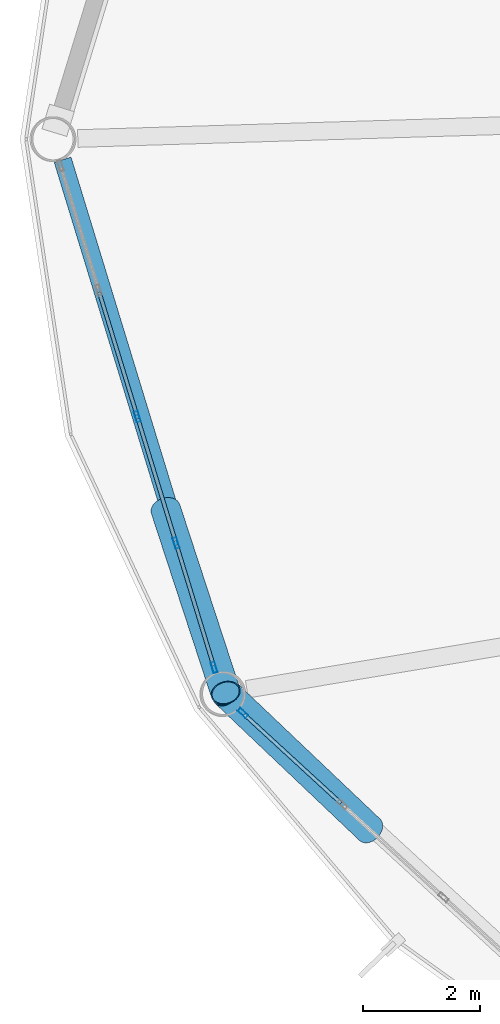
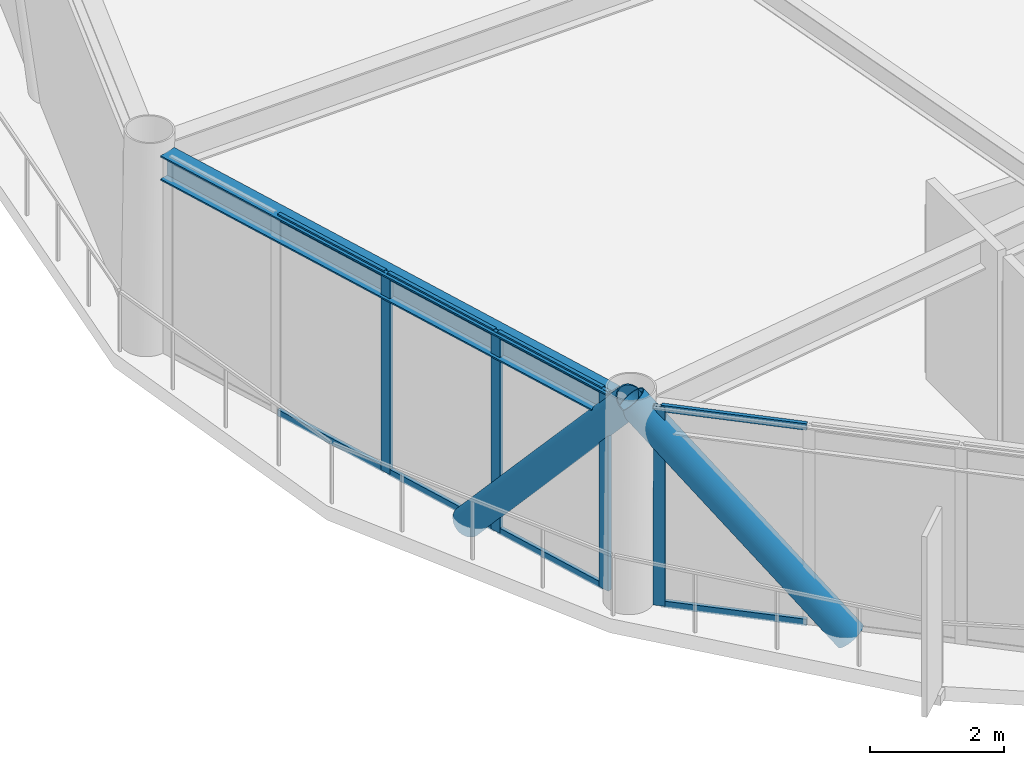
# One storey, part 5 of 26: 14 members, 1 beam, 2 elements without a shape of their own.
"""IFC4 building model written with IfcOpenShell, lengths in metres."""

from ifc_helpers import new_model, si_unit, direction, frame, origin, origin_2d, place, context, subcontext, project, spatial, hollow_rectangle, hollow_circle, i_section, extrude, material, layer, layer_set, material_profile, profile_set, type_object, element, aggregate, save


model = new_model("IFC4")

# Units and contexts
model_context = context("Model", 3, precision=1e-05, world=origin(), true_north=direction((0.0, 1.0)))
body_context = subcontext(model_context, "Body", "Model", "MODEL_VIEW")
ifc_project = project(units=[si_unit("LENGTHUNIT", "METRE"), si_unit("AREAUNIT", "SQUARE_METRE"), si_unit("VOLUMEUNIT", "CUBIC_METRE"), si_unit("PLANEANGLEUNIT", "RADIAN"), si_unit("MASSUNIT", "GRAM", prefix="KILO")], contexts=[model_context])

# Site, building, storey
site_placement = place(None, origin())
site = spatial("IfcSite", under=ifc_project, at=site_placement, CompositionType="ELEMENT")
building_placement = place(site_placement, origin())
building = spatial("IfcBuilding", under=site, at=building_placement, Name="Varnakorn Sky Granary", CompositionType="ELEMENT")
storey_placement = place(building_placement, frame((0.0, 0.0, 153.89990234375)))
storey = spatial("IfcBuildingStorey", under=building, at=storey_placement, Name="L38", CompositionType="ELEMENT", Elevation=153.89990234375)

# Beam
ifc_material_1 = material(Name="Steel S355JR", Category="steel")
ifc_material_profile_1 = material_profile(ifc_material_1, i_section(OverallWidth=0.300048828125, OverallDepth=0.449951171875, WebThickness=0.013916015625, FlangeThickness=0.02587890625, at=origin_2d()), Name="HE 450 B")
ifc_profile_set_1 = profile_set([ifc_material_profile_1], Name="Steel S355JR")
beam_type = type_object("IfcBeamType", Name="BM-SPD-Z3", PredefinedType="SPANDREL", material=ifc_profile_set_1)
beam_placement = place(storey_placement, frame((-22.04296875, -0.35009765625, 3.4150390625), z_axis=(0.292442765149, -0.956283027724, 0.0), x_axis=(0.956283027724, 0.292442765149, 0.0)))
element("IfcBeam", 1, at=beam_placement, inside=storey, type_object=beam_type, Name="Perimeter Spandrel Ring Beam RB07 L38", PredefinedType="SPANDREL", context=body_context, shape_type="SweptSolid", body=[
    extrude(i_section(OverallWidth=0.300048828125, OverallDepth=0.449951171875, WebThickness=0.013916015625, FlangeThickness=0.02587890625, at=origin_2d()), origin(), (0.0, 0.0, 1.0), 9.128173828125),
])

# Curtain wall, members
ifc_material_2 = material(Name="Anodised Bronze Aluminium Alloy 6063-T6", Category="aluminium")
ifc_layer = layer(ifc_material_2, 0.179931640625, Name="Anodised Bronze Aluminium Alloy 6063-T6")
ifc_layer_set = layer_set([ifc_layer], Name="Anodised Bronze Aluminium Alloy 6063-T6")
curtain_wall_type = type_object("IfcCurtainWallType", Name="CW-FRM-2", PredefinedType="USERDEFINED", material=ifc_layer_set)
curtain_wall_1_placement = place(storey_placement, origin())
curtain_wall_1 = element("IfcCurtainWall", 2, at=curtain_wall_1_placement, inside=storey, type_object=curtain_wall_type, Name="Unitised Curtain Wall CW4 CW-L38-B07", ObjectType="CURTAIN WALL", PredefinedType="USERDEFINED")
ifc_material_profile_2 = material_profile(ifc_material_2, hollow_rectangle(XDim=0.070068359375, YDim=0.18505859375, WallThickness=0.00390625, at=origin_2d()), Name="ALU MULL 70x185")
ifc_profile_set_2 = profile_set([ifc_material_profile_2], Name="Anodised Bronze Aluminium Alloy 6063-T6")
member_type_1 = type_object("IfcMemberType", Name="CW-FRM-2-MULL", PredefinedType="MULLION", material=ifc_profile_set_2)
member_1_placement = place(storey_placement, frame((-19.463623046875, -8.997314453125, 0.0), z_axis=(0.0, 0.0, 1.0), x_axis=(-0.956229135682, -0.29261893321, 0.0)))
member_1 = element("IfcMember", 3, at=member_1_placement, type_object=member_type_1, Name="CW4 mullion 1", PredefinedType="MULLION", context=body_context, shape_type="SweptSolid", body=[
    extrude(hollow_rectangle(XDim=0.070068359375, YDim=0.18505859375, WallThickness=0.00390625, at=origin_2d()), origin(), (0.0, 0.0, 1.0), 3.64013671875),
])
member_2_placement = place(storey_placement, frame((-20.112060546875, -6.87841796875, 0.0), z_axis=(0.0, 0.0, 1.0), x_axis=(-0.956229135682, -0.29261893321, 0.0)))
member_2 = element("IfcMember", 4, at=member_2_placement, type_object=member_type_1, Name="CW4 mullion 2", PredefinedType="MULLION", context=body_context, shape_type="SweptSolid", body=[
    extrude(hollow_rectangle(XDim=0.070068359375, YDim=0.18505859375, WallThickness=0.00390625, at=origin_2d()), origin(), (0.0, 0.0, 1.0), 3.64013671875),
])
member_3_placement = place(storey_placement, frame((-20.770751953125, -4.726318359375, 0.0), z_axis=(0.0, 0.0, 1.0), x_axis=(-0.956229135682, -0.29261893321, 0.0)))
member_3 = element("IfcMember", 5, at=member_3_placement, type_object=member_type_1, Name="CW4 mullion 3", PredefinedType="MULLION", context=body_context, shape_type="SweptSolid", body=[
    extrude(hollow_rectangle(XDim=0.070068359375, YDim=0.18505859375, WallThickness=0.00390625, at=origin_2d()), origin(), (0.0, 0.0, 1.0), 3.64013671875),
])

# Curtain wall, member
curtain_wall_2_placement = place(storey_placement, origin())
curtain_wall_2 = element("IfcCurtainWall", 6, at=curtain_wall_2_placement, inside=storey, type_object=curtain_wall_type, Name="Unitised Curtain Wall CW4 CW-L38-B08", ObjectType="CURTAIN WALL", PredefinedType="USERDEFINED")
member_4_placement = place(storey_placement, frame((-18.973876953125, -9.7744140625, 0.0), z_axis=(0.0, 0.0, 1.0), x_axis=(-0.676471797865, -0.736468537477, 0.0)))
member_4 = element("IfcMember", 7, at=member_4_placement, type_object=member_type_1, Name="CW4 mullion 5", PredefinedType="MULLION", context=body_context, shape_type="SweptSolid", body=[
    extrude(hollow_rectangle(XDim=0.070068359375, YDim=0.18505859375, WallThickness=0.00390625, at=origin_2d()), origin(), (0.0, 0.0, 1.0), 3.64013671875),
])

# Member
ifc_material_profile_3 = material_profile(ifc_material_2, hollow_rectangle(XDim=0.06494140625, YDim=0.1201171875, WallThickness=0.00341796875, at=origin_2d()), Name="ALU TRAN 65x120")
ifc_profile_set_3 = profile_set([ifc_material_profile_3], Name="Anodised Bronze Aluminium Alloy 6063-T6")
member_type_2 = type_object("IfcMemberType", Name="CW-FRM-2-TRAN", PredefinedType="USERDEFINED", material=ifc_profile_set_3)
member_5_placement = place(storey_placement, frame((-19.473876953125, -8.9638671875, 0.03271484375), z_axis=(-0.292646331682, 0.956220750953, 0.0), x_axis=(-0.956220750953, -0.292646331682, 0.0)))
member_5 = element("IfcMember", 8, at=member_5_placement, type_object=member_type_2, Name="CW4 transom 1.1", ObjectType="TRANSOM", PredefinedType="USERDEFINED", context=body_context, shape_type="SweptSolid", body=[
    extrude(hollow_rectangle(XDim=0.06494140625, YDim=0.1201171875, WallThickness=0.00341796875, at=origin_2d()), origin(), (0.0, 0.0, 1.0), 2.145751953125),
])

member_6_placement = place(storey_placement, frame((-19.473876953125, -8.9638671875, 3.607666015625), z_axis=(-0.292646331682, 0.956220750953, 0.0), x_axis=(-0.956220750953, -0.292646331682, 0.0)))
member_6 = element("IfcMember", 9, at=member_6_placement, type_object=member_type_2, Name="CW4 transom 1.2", ObjectType="TRANSOM", PredefinedType="USERDEFINED", context=body_context, shape_type="SweptSolid", body=[
    extrude(hollow_rectangle(XDim=0.06494140625, YDim=0.1201171875, WallThickness=0.00341796875, at=origin_2d()), origin(), (0.0, 0.0, 1.0), 2.145751953125),
])

member_7_placement = place(storey_placement, frame((-20.122314453125, -6.844970703125, 0.03271484375), z_axis=(-0.292653688925, 0.956218499276, 0.0), x_axis=(-0.956218499276, -0.292653688925, 0.0)))
member_7 = element("IfcMember", 10, at=member_7_placement, type_object=member_type_2, Name="CW4 transom 2.1", ObjectType="TRANSOM", PredefinedType="USERDEFINED", context=body_context, shape_type="SweptSolid", body=[
    extrude(hollow_rectangle(XDim=0.06494140625, YDim=0.1201171875, WallThickness=0.00341796875, at=origin_2d()), origin(), (0.0, 0.0, 1.0), 2.1806640625),
])

member_8_placement = place(storey_placement, frame((-20.122314453125, -6.844970703125, 3.607666015625), z_axis=(-0.292653688925, 0.956218499276, 0.0), x_axis=(-0.956218499276, -0.292653688925, 0.0)))
member_8 = element("IfcMember", 11, at=member_8_placement, type_object=member_type_2, Name="CW4 transom 2.2", ObjectType="TRANSOM", PredefinedType="USERDEFINED", context=body_context, shape_type="SweptSolid", body=[
    extrude(hollow_rectangle(XDim=0.06494140625, YDim=0.1201171875, WallThickness=0.00341796875, at=origin_2d()), origin(), (0.0, 0.0, 1.0), 2.1806640625),
])

member_9_placement = place(storey_placement, frame((-20.781005859375, -4.69287109375, 0.03271484375), z_axis=(-0.292622362182, 0.956228086364, 0.0), x_axis=(-0.956228086364, -0.292622362182, 0.0)))
member_9 = element("IfcMember", 12, at=member_9_placement, type_object=member_type_2, Name="CW4 transom 3.1", ObjectType="TRANSOM", PredefinedType="USERDEFINED", context=body_context, shape_type="SweptSolid", body=[
    extrude(hollow_rectangle(XDim=0.06494140625, YDim=0.1201171875, WallThickness=0.00341796875, at=origin_2d()), origin(), (0.0, 0.0, 1.0), 2.180908203125),
])

member_10_placement = place(storey_placement, frame((-20.781005859375, -4.69287109375, 3.607666015625), z_axis=(-0.292622362182, 0.956228086364, 0.0), x_axis=(-0.956228086364, -0.292622362182, 0.0)))
member_10 = element("IfcMember", 13, at=member_10_placement, type_object=member_type_2, Name="CW4 transom 3.2", ObjectType="TRANSOM", PredefinedType="USERDEFINED", context=body_context, shape_type="SweptSolid", body=[
    extrude(hollow_rectangle(XDim=0.06494140625, YDim=0.1201171875, WallThickness=0.00341796875, at=origin_2d()), origin(), (0.0, 0.0, 1.0), 2.180908203125),
])

aggregate(curtain_wall_1, [member_1, member_2, member_3, member_5, member_6, member_7, member_8, member_9, member_10])

member_11_placement = place(storey_placement, frame((-17.304443359375, -11.307861328125, 0.03271484375), z_axis=(-0.736495410887, 0.676442539867, 0.0), x_axis=(-0.676442539867, -0.736495410887, 0.0)))
member_11 = element("IfcMember", 14, at=member_11_placement, type_object=member_type_2, Name="CW4 transom 4.1", ObjectType="TRANSOM", PredefinedType="USERDEFINED", context=body_context, shape_type="SweptSolid", body=[
    extrude(hollow_rectangle(XDim=0.06494140625, YDim=0.1201171875, WallThickness=0.00341796875, at=origin_2d()), origin(), (0.0, 0.0, 1.0), 2.23193359375),
])

member_12_placement = place(storey_placement, frame((-17.304443359375, -11.307861328125, 3.607666015625), z_axis=(-0.736495410887, 0.676442539867, 0.0), x_axis=(-0.676442539867, -0.736495410887, 0.0)))
member_12 = element("IfcMember", 15, at=member_12_placement, type_object=member_type_2, Name="CW4 transom 4.2", ObjectType="TRANSOM", PredefinedType="USERDEFINED", context=body_context, shape_type="SweptSolid", body=[
    extrude(hollow_rectangle(XDim=0.06494140625, YDim=0.1201171875, WallThickness=0.00341796875, at=origin_2d()), origin(), (0.0, 0.0, 1.0), 2.23193359375),
])

aggregate(curtain_wall_2, [member_4, member_11, member_12])

# Members
ifc_material_3 = material(Name="Steel S460M", Category="steel")
ifc_material_profile_4 = material_profile(ifc_material_3, hollow_circle(Radius=0.25390625, WallThickness=0.01806640625, at=origin_2d()), Name="CHS 508x18")
ifc_profile_set_4 = profile_set([ifc_material_profile_4], Name="Steel S460M")
member_type_3 = type_object("IfcMemberType", Name="MB-DIAG-T2", PredefinedType="BRACE", material=ifc_profile_set_4)
member_13_placement = place(storey_placement, frame((-20.288818359375, -6.3017578125, -0.1298828125), z_axis=(0.204290863381, -0.624972932659, 0.753441488494), x_axis=(0.950507547517, 0.310701467832, 0.0)))
element("IfcMember", 16, at=member_13_placement, inside=storey, type_object=member_type_3, Name="Perimeter CHS Diagrid Brace DG07 L38", PredefinedType="BRACE", context=body_context, shape_type="SweptSolid", body=[
    extrude(hollow_circle(Radius=0.25390625, WallThickness=0.01806640625, at=origin_2d()), origin(), (0.0, 0.0, 1.0), 5.003662109375),
])
member_14_placement = place(storey_placement, frame((-16.813232421875, -11.759033203125, -0.1298828125), z_axis=(-0.484309853388, 0.459971463901, 0.744224575184), x_axis=(-0.688652742673, -0.725091304602, 0.0)))
element("IfcMember", 17, at=member_14_placement, inside=storey, type_object=member_type_3, Name="Perimeter CHS Diagrid Brace DG08 L38", PredefinedType="BRACE", context=body_context, shape_type="SweptSolid", body=[
    extrude(hollow_circle(Radius=0.25390625, WallThickness=0.01806640625, at=origin_2d()), origin(), (0.0, 0.0, 1.0), 5.065673828125),
])

save(model, "model.ifc")
